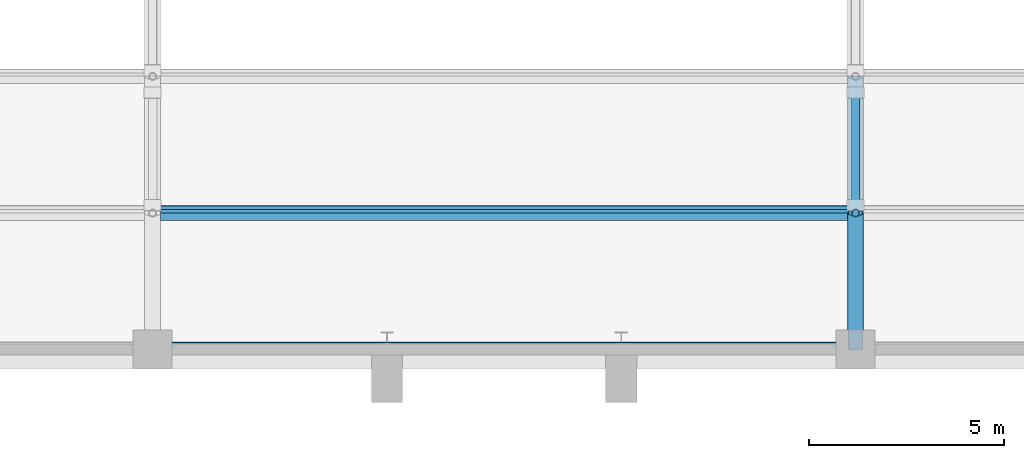
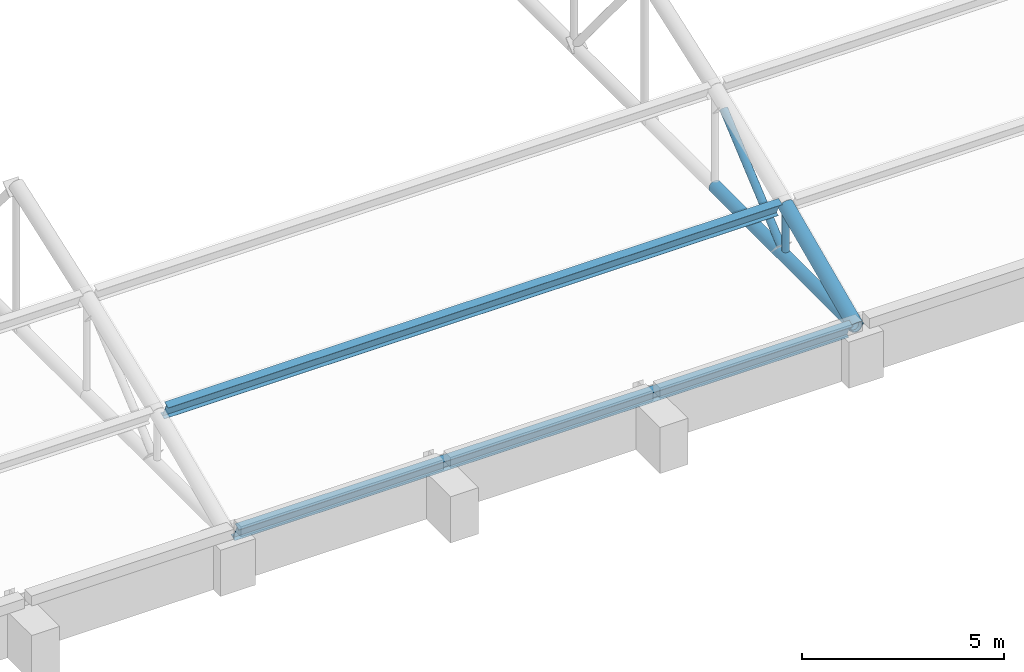
# One storey, part 38 of 196: 6 members.
"""IFC4 building model written with IfcOpenShell, lengths in metres."""

from ifc_helpers import new_model, si_unit, direction, frame, origin, origin_2d, place, context, subcontext, project, spatial, hollow_circle, i_section, extrude, material, material_profile, profile_set, type_object, element, save


model = new_model("IFC4")

# Units and contexts
model_context = context("Model", 3, precision=1e-05, world=origin(), true_north=direction((0.0, 1.0)))
body_context = subcontext(model_context, "Body", "Model", "MODEL_VIEW")
ifc_project = project(units=[si_unit("LENGTHUNIT", "METRE"), si_unit("AREAUNIT", "SQUARE_METRE"), si_unit("VOLUMEUNIT", "CUBIC_METRE"), si_unit("PLANEANGLEUNIT", "RADIAN"), si_unit("MASSUNIT", "GRAM", prefix="KILO")], contexts=[model_context])

# Site, building, storey
site_placement = place(None, origin())
site = spatial("IfcSite", under=ifc_project, at=site_placement, CompositionType="ELEMENT")
building_placement = place(site_placement, origin())
building = spatial("IfcBuilding", under=site, at=building_placement, Name="Okhra Congress Centre", CompositionType="ELEMENT")
storey_placement = place(building_placement, frame((0.0, 0.0, 12.0)))
storey = spatial("IfcBuildingStorey", under=building, at=storey_placement, Name="L02", CompositionType="ELEMENT", Elevation=12.0)

# Members
ifc_material_1 = material(Name="Steel S355J2H", Category="steel")
ifc_material_profile_1 = material_profile(ifc_material_1, hollow_circle(Radius=0.096923828125, WallThickness=0.012451171875, at=origin_2d()), Name="CHS 193.7x12.5")
ifc_profile_set_1 = profile_set([ifc_material_profile_1], Name="Steel S355J2H")
member_type_1 = type_object("IfcMemberType", Name="CHS 193.7x12.5", PredefinedType="POST", material=ifc_profile_set_1)
member_1_placement = place(storey_placement, frame((118.0, 135.5, 1.577880859375), z_axis=(0.0, 0.0, 1.0), x_axis=(1.0, 0.0, 0.0)))
element("IfcMember", 1, at=member_1_placement, inside=storey, type_object=member_type_1, Name="EH.MEM.L02.T6-VER-01", PredefinedType="POST", context=body_context, shape_type="SweptSolid", body=[
    extrude(hollow_circle(Radius=0.096923828125, WallThickness=0.012451171875, at=origin_2d()), origin(), (0.0, 0.0, 1.0), 1.168212890625),
])
ifc_material_profile_2 = material_profile(ifc_material_1, hollow_circle(Radius=0.109619140625, WallThickness=0.012451171875, at=origin_2d()), Name="CHS 219.1x12.5")
ifc_profile_set_2 = profile_set([ifc_material_profile_2], Name="Steel S355J2H")
member_type_2 = type_object("IfcMemberType", Name="CHS 219.1x12.5", PredefinedType="BRACE", material=ifc_profile_set_2)
member_2_placement = place(storey_placement, frame((118.0, 138.57421875, 4.01220703125), z_axis=(0.0, -0.76205947483, -0.647507032257), x_axis=(1.0, 0.0, 0.0)))
element("IfcMember", 2, at=member_2_placement, inside=storey, type_object=member_type_2, Name="EH.MEM.L02.T6-DIA-01", PredefinedType="BRACE", context=body_context, shape_type="SweptSolid", body=[
    extrude(hollow_circle(Radius=0.109619140625, WallThickness=0.012451171875, at=origin_2d()), origin(), (0.0, 0.0, 1.0), 3.759521484375),
])
ifc_material_profile_3 = material_profile(ifc_material_1, hollow_circle(Radius=0.177734375, WallThickness=0.02490234375, at=origin_2d()), Name="CHS 355.6x25.0")
ifc_profile_set_3 = profile_set([ifc_material_profile_3], Name="Steel S355J2H")
member_type_3 = type_object("IfcMemberType", Name="CHS 355.6x25.0", PredefinedType="CHORD", material=ifc_profile_set_3)
member_3_placement = place(storey_placement, frame((118.0, 132.0, 1.39990234375), z_axis=(0.0, 1.0, 0.0), x_axis=(-1.0, 0.0, 0.0)))
element("IfcMember", 3, at=member_3_placement, inside=storey, type_object=member_type_3, Name="EH.MEM.L02.T6-BOT-01", PredefinedType="CHORD", context=body_context, shape_type="SweptSolid", body=[
    extrude(hollow_circle(Radius=0.177734375, WallThickness=0.02490234375, at=origin_2d()), origin(), (0.0, 0.0, 1.0), 7.0),
])
ifc_material_profile_4 = material_profile(ifc_material_1, hollow_circle(Radius=0.203125, WallThickness=0.02490234375, at=origin_2d()), Name="CHS 406.4x25.0")
ifc_profile_set_4 = profile_set([ifc_material_profile_4], Name="Steel S355J2H")
member_type_4 = type_object("IfcMemberType", Name="CHS 406.4x25.0", PredefinedType="CHORD", material=ifc_profile_set_4)
member_4_placement = place(storey_placement, frame((118.0, 132.0, 1.39990234375), z_axis=(0.0, 0.912710800597, 0.408606160591), x_axis=(-1.0, 0.0, 0.0)))
element("IfcMember", 4, at=member_4_placement, inside=storey, type_object=member_type_4, Name="EH.MEM.L02.T6-TOP-01", PredefinedType="CHORD", context=body_context, shape_type="SweptSolid", body=[
    extrude(hollow_circle(Radius=0.203125, WallThickness=0.02490234375, at=origin_2d()), origin(), (0.0, 0.0, 1.0), 3.834716796875),
])
ifc_material_2 = material(Name="Steel S355J2", Category="steel")
ifc_material_profile_5 = material_profile(ifc_material_2, i_section(OverallWidth=0.199951171875, OverallDepth=0.5, WebThickness=0.01025390625, FlangeThickness=0.01611328125, at=origin_2d()), Name="IPE 500")
ifc_profile_set_5 = profile_set([ifc_material_profile_5], Name="Steel S355J2")
member_type_5 = type_object("IfcMemberType", Name="IPE 500", PredefinedType="PURLIN", material=ifc_profile_set_5)
for number, where, z_axis, x_axis, name in (
    (5, (100.203125, 132.0, 1.39990234375), (1.0, 0.0, 0.0), (0.0, 0.912721046606, 0.40858327313), "EH.MEM.L02.PU5-01"),
    (6, (100.203125, 135.5, 2.966796875), (1.0, 0.0, 0.0), (0.0, 0.920437204489, 0.390890461118), "EH.MEM.L02.PU5-02"),
):
    element("IfcMember", number, at=place(storey_placement, frame(where, z_axis=z_axis, x_axis=x_axis)), inside=storey, type_object=member_type_5, Name=name, PredefinedType="PURLIN", context=body_context, shape_type="SweptSolid", body=[
        extrude(i_section(OverallWidth=0.199951171875, OverallDepth=0.5, WebThickness=0.01025390625, FlangeThickness=0.01611328125, at=origin_2d()), origin(), (0.0, 0.0, 1.0), 17.59375),
    ])

save(model, "model.ifc")
